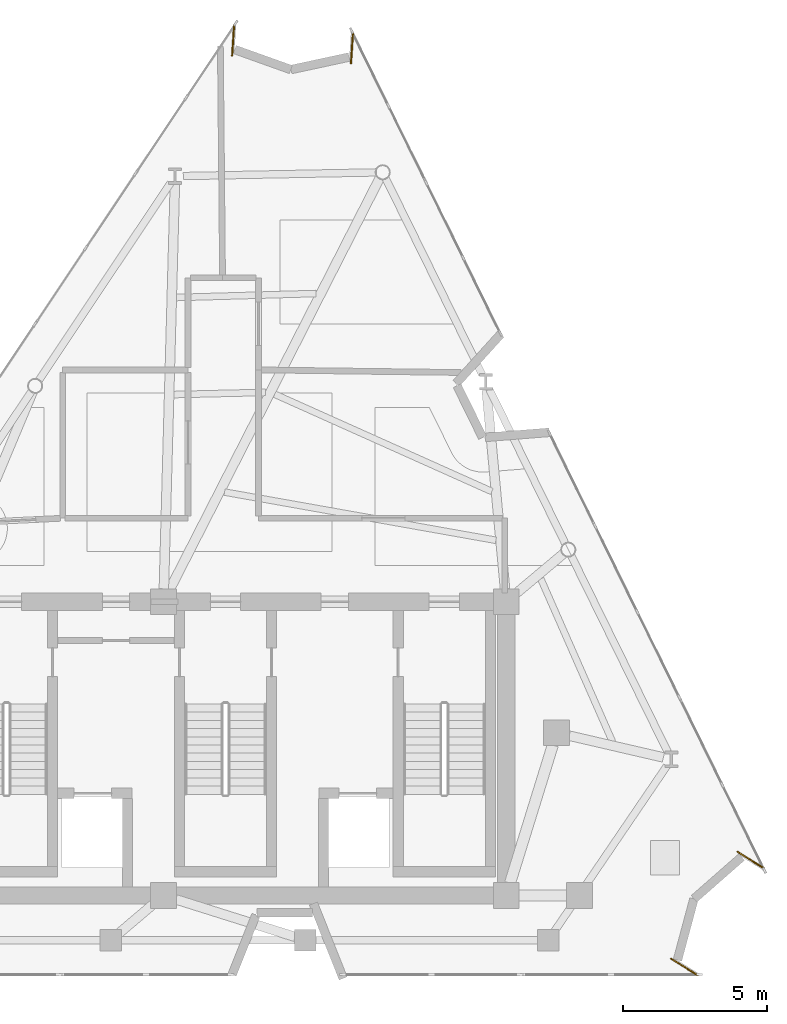
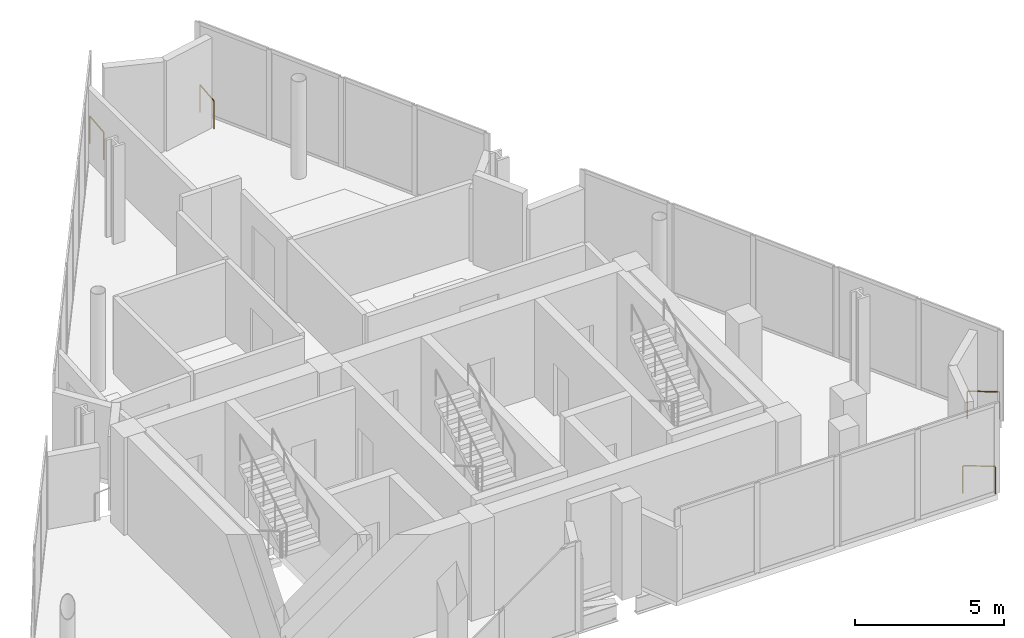
# One storey, part 9 of 9: 4 railings.
"""IFC4 building model written with IfcOpenShell, lengths in metres."""

from ifc_helpers import new_model, si_unit, direction, frame, origin, origin_2d, place, context, subcontext, project, spatial, circle, extrude, material, type_object, element, save


model = new_model("IFC4")

# Units and contexts
model_context = context("Model", 3, precision=1e-05, world=origin(), true_north=direction((0.0, 1.0)))
body_context = subcontext(model_context, "Body", "Model", "MODEL_VIEW")
ifc_project = project(units=[si_unit("LENGTHUNIT", "METRE"), si_unit("AREAUNIT", "SQUARE_METRE"), si_unit("VOLUMEUNIT", "CUBIC_METRE"), si_unit("PLANEANGLEUNIT", "RADIAN"), si_unit("MASSUNIT", "GRAM", prefix="KILO")], contexts=[model_context])

# Site, building, storey
site_placement = place(None, origin())
site = spatial("IfcSite", under=ifc_project, at=site_placement, CompositionType="ELEMENT")
building_placement = place(site_placement, origin())
building = spatial("IfcBuilding", under=site, at=building_placement, Name="Almagre Mirador Tower", CompositionType="ELEMENT")
storey_placement = place(building_placement, frame((0.0, 0.0, 302.5)))
storey = spatial("IfcBuildingStorey", under=building, at=storey_placement, Name="L78", CompositionType="ELEMENT", Elevation=302.5)

# Railings
ifc_material = material(Name="Black anodized aluminium", Category="aluminium")
railing_type = type_object("IfcRailingType", Name="RLG-BAL-1150", PredefinedType="BALUSTRADE", material=ifc_material)
railing_1_placement = place(storey_placement, frame((37.602294921875, 34.77587890625, 0.0)))
element("IfcRailing", 1, at=railing_1_placement, inside=storey, type_object=railing_type, Name="L78 perimeter edge balustrade 02", PredefinedType="BALUSTRADE", context=body_context, shape_type="SweptSolid", body=[
    extrude(circle(Radius=0.02392578125, at=origin_2d()), frame((0.0, 0.0, 1.1259765625), z_axis=(-0.065466988869, -0.997854735605, 0.0), x_axis=(0.997854735605, -0.065466988869, 0.0)), (0.0, 0.0, 1.0), 1.062744140625),
    extrude(circle(Radius=0.02099609375, at=origin_2d()), origin(), (0.0, 0.0, 1.0), 1.101806640625),
    extrude(circle(Radius=0.02099609375, at=origin_2d()), frame((-0.069580078125, -1.060546875, 0.0)), (0.0, 0.0, 1.0), 1.101806640625),
])
railing_2_placement = place(storey_placement, frame((41.658447265625, 33.444091796875, 0.0)))
element("IfcRailing", 2, at=railing_2_placement, inside=storey, type_object=railing_type, Name="L78 perimeter edge balustrade 03", PredefinedType="BALUSTRADE", context=body_context, shape_type="SweptSolid", body=[
    extrude(circle(Radius=0.02392578125, at=origin_2d()), frame((0.0, 0.0, 1.1259765625), z_axis=(0.065695707922, 0.99783970354, 0.0), x_axis=(-0.99783970354, 0.065695707922, 0.0)), (0.0, 0.0, 1.0), 1.062744140625),
    extrude(circle(Radius=0.02099609375, at=origin_2d()), origin(), (0.0, 0.0, 1.0), 1.101806640625),
    extrude(circle(Radius=0.02099609375, at=origin_2d()), frame((0.06982421875, 1.060546875, 0.0)), (0.0, 0.0, 1.0), 1.101806640625),
])
railing_3_placement = place(storey_placement, frame((56.009765625, 5.4873046875, 0.0)))
element("IfcRailing", 3, at=railing_3_placement, inside=storey, type_object=railing_type, Name="L78 perimeter edge balustrade 04", PredefinedType="BALUSTRADE", context=body_context, shape_type="SweptSolid", body=[
    extrude(circle(Radius=0.02392578125, at=origin_2d()), frame((0.0, 0.0, 1.1259765625), z_axis=(-0.848626010961, 0.528993283058, 0.0), x_axis=(-0.528993283058, -0.848626010961, 0.0)), (0.0, 0.0, 1.0), 1.091552734375),
    extrude(circle(Radius=0.02099609375, at=origin_2d()), origin(), (0.0, 0.0, 1.0), 1.101806640625),
    extrude(circle(Radius=0.02099609375, at=origin_2d()), frame((-0.92626953125, 0.577392578125, 0.0)), (0.0, 0.0, 1.0), 1.101806640625),
])
railing_4_placement = place(storey_placement, frame((52.7744140625, 2.355712890625, 0.0)))
element("IfcRailing", 4, at=railing_4_placement, inside=storey, type_object=railing_type, Name="L78 perimeter edge balustrade 05", PredefinedType="BALUSTRADE", context=body_context, shape_type="SweptSolid", body=[
    extrude(circle(Radius=0.02392578125, at=origin_2d()), frame((0.0, 0.0, 1.1259765625), z_axis=(0.849027604088, -0.528348490578, 0.0), x_axis=(0.528348490578, 0.849027604088, 0.0)), (0.0, 0.0, 1.0), 1.091064453125),
    extrude(circle(Radius=0.02099609375, at=origin_2d()), origin(), (0.0, 0.0, 1.0), 1.101806640625),
    extrude(circle(Radius=0.02099609375, at=origin_2d()), frame((0.92626953125, -0.576416015625, 0.0)), (0.0, 0.0, 1.0), 1.101806640625),
])

save(model, "model.ifc")
